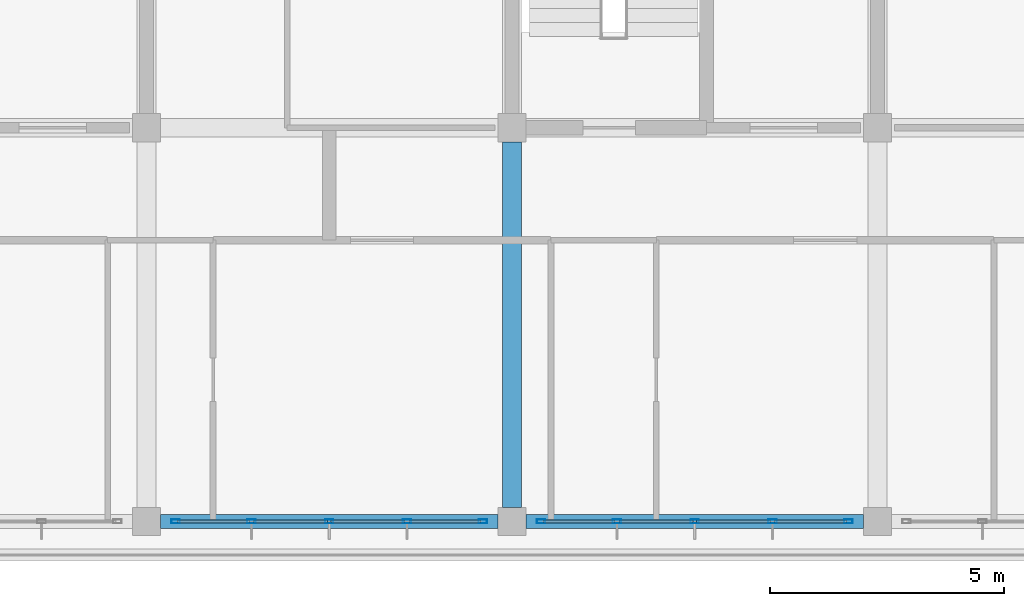
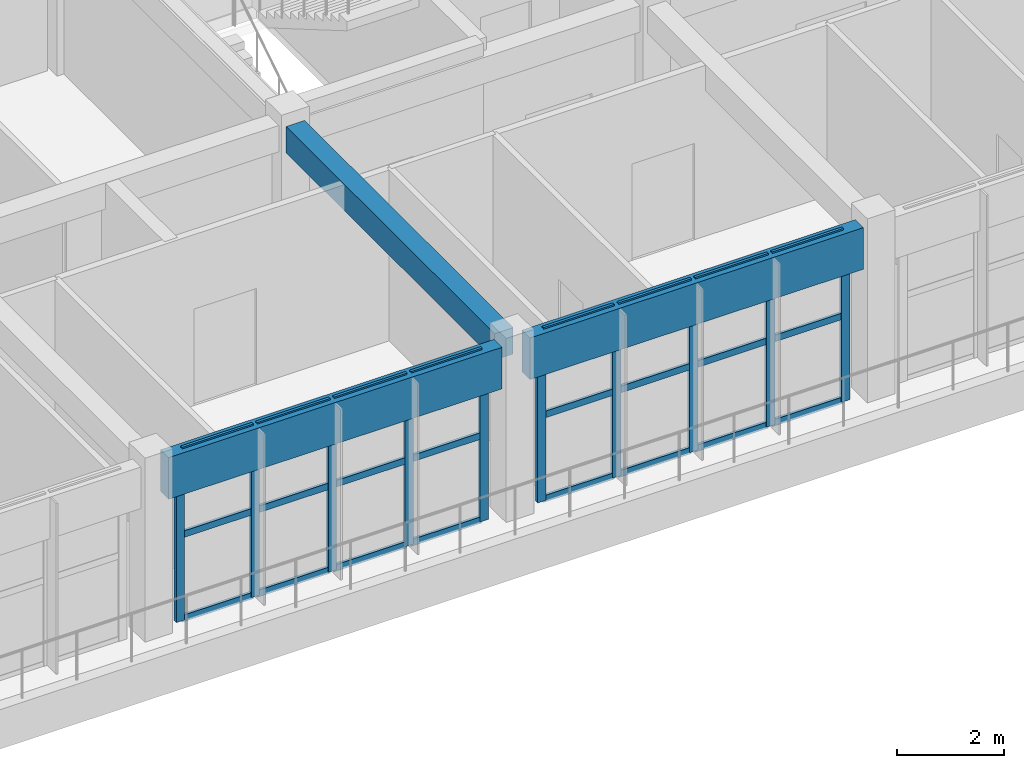
# One storey, part 14 of 50: 34 members, 3 beams, 2 elements without a shape of their own.
"""IFC4 building model written with IfcOpenShell, lengths in metres."""

import ifcopenshell
import ifcopenshell.guid

model = None  # the IFC model being written
_history = None  # IfcOwnerHistory: only IFC2X3 demands one
_inside = {}  # id of a spatial element -> (the spatial element, [elements in it])
_under = {}  # id of a project, library or spatial element -> (it, [spatial elements below it])
_declared = {}  # id of a project -> (the project, [libraries it declares])
_typed = {}  # id of a type object -> (the type object, [elements of that type])
_made_of = {}  # id of a material, layer set ... -> (it, [elements and type objects made of it])


def new_model(schema):
    """Start an empty IFC model of exactly this schema.

    Asked for "IFC4X3", IfcOpenShell would pick the latest addendum, in which some entities
    have other attributes; the version numbers below select the first issue.
    IFC2X3 requires an IfcOwnerHistory on every rooted entity: one is made here for all.
    """
    global model, _history
    if schema == "IFC4X3":
        model = ifcopenshell.file(schema_version=(4, 3, 0, 0))
    else:
        model = ifcopenshell.file(schema=schema)
    _inside.clear()
    _under.clear()
    _declared.clear()
    _typed.clear()
    _made_of.clear()
    _history = None
    if model.schema == "IFC2X3":
        org = make("IfcOrganization", Name="unknown")
        user = make(
            "IfcPersonAndOrganization",
            ThePerson=make("IfcPerson", FamilyName="unknown"),
            TheOrganization=org,
        )
        app = make(
            "IfcApplication",
            ApplicationDeveloper=org,
            Version="unknown",
            ApplicationFullName="unknown",
            ApplicationIdentifier="unknown",
        )
        _history = make(
            "IfcOwnerHistory",
            OwningUser=user,
            OwningApplication=app,
            ChangeAction="ADDED",
            CreationDate=0,
        )
    return model


def make(cls, **values):
    """One entity of the class cls with the attributes given. An attribute that is None is left unset."""
    return model.create_entity(
        cls, **{name: value for name, value in values.items() if value is not None}
    )


def rooted(cls, **values):
    """An entity with a GlobalId (a new one), such as an element, a storey or a relation."""
    return make(cls, GlobalId=ifcopenshell.guid.new(), OwnerHistory=_history, **values)


def si_unit(unit_type, name, prefix=None):
    """IfcSIUnit, for example si_unit("LENGTHUNIT", "METRE", prefix="MILLI")."""
    return make("IfcSIUnit", UnitType=unit_type, Prefix=prefix, Name=name)


def assignment(units):
    """IfcUnitAssignment: the units of a project."""
    return None if units is None else make("IfcUnitAssignment", Units=units)


def point(xyz):
    """IfcCartesianPoint."""
    return None if xyz is None else make("IfcCartesianPoint", Coordinates=xyz)


def direction(xyz):
    """IfcDirection."""
    return None if xyz is None else make("IfcDirection", DirectionRatios=xyz)


def frame(location, z_axis=None, x_axis=None):
    """IfcAxis2Placement3D, a coordinate frame: its origin and axes. An axis left out is left unset."""
    return make(
        "IfcAxis2Placement3D",
        Location=point(location),
        Axis=direction(z_axis),
        RefDirection=direction(x_axis),
    )


def frame_2d(location, x_axis=None):
    """IfcAxis2Placement2D, a coordinate frame in the plane: its origin and x axis."""
    return make(
        "IfcAxis2Placement2D", Location=point(location), RefDirection=direction(x_axis)
    )


def origin():
    """The frame at (0, 0, 0) with its axes left unset."""
    return frame((0.0, 0.0, 0.0))


def origin_2d():
    """The frame at (0, 0) in the plane with its x axis left unset."""
    return frame_2d((0.0, 0.0))


def place(relative_to, where):
    """IfcLocalPlacement: puts the frame where relative to a parent placement (None: the world)."""
    return make(
        "IfcLocalPlacement", PlacementRelTo=relative_to, RelativePlacement=where
    )


def context(
    kind, dimensions, precision=None, world=None, true_north=None, identifier=None
):
    """IfcGeometricRepresentationContext, for example the 3D "Model" context."""
    return make(
        "IfcGeometricRepresentationContext",
        ContextIdentifier=identifier,
        ContextType=kind,
        CoordinateSpaceDimension=dimensions,
        Precision=precision,
        WorldCoordinateSystem=world,
        TrueNorth=true_north,
    )


def subcontext(parent, identifier, kind, view, scale=None):
    """IfcGeometricRepresentationSubContext, for example "Body" below "Model"."""
    return make(
        "IfcGeometricRepresentationSubContext",
        ContextIdentifier=identifier,
        ContextType=kind,
        ParentContext=parent,
        TargetScale=scale,
        TargetView=view,
    )


def project(units=None, contexts=None):
    """IfcProject with its units and contexts."""
    return rooted(
        "IfcProject",
        Name="project",
        RepresentationContexts=contexts,
        UnitsInContext=assignment(units),
    )


def spatial(cls, under=None, at=None, **own):
    """A site, building, storey or space (cls), placed at a placement, below another one or the project."""
    s = rooted(cls, ObjectPlacement=at, **own)
    if under is not None:
        _under.setdefault(under.id(), (under, []))[1].append(s)
    return s


def profile(cls, at=None, kind="AREA", **sizes):
    """A parametric profile (cls). Its sizes go by their IFC names, for example OverallWidth=200.0."""
    return make(cls, ProfileType=kind, Position=at, **sizes)


def rectangle(**sizes):
    """IfcRectangleProfileDef."""
    return profile("IfcRectangleProfileDef", **sizes)


def hollow_rectangle(**sizes):
    """IfcRectangleHollowProfileDef."""
    return profile("IfcRectangleHollowProfileDef", **sizes)


def extrude(swept, where, along, depth):
    """IfcExtrudedAreaSolid: the profile swept, set in the frame where, extruded along a direction by depth."""
    return make(
        "IfcExtrudedAreaSolid",
        SweptArea=swept,
        Position=where,
        ExtrudedDirection=direction(along),
        Depth=depth,
    )


def shape(context_of_items, identifier, shape_type, items):
    """IfcShapeRepresentation: the items that make up one representation, for example the "Body"."""
    return make(
        "IfcShapeRepresentation",
        ContextOfItems=context_of_items,
        RepresentationIdentifier=identifier,
        RepresentationType=shape_type,
        Items=items,
    )


def material(Name=None, Category=None):
    """IfcMaterial."""
    return make("IfcMaterial", Name=Name, Category=Category)


def layer(
    of_material, thickness, ventilated=None, Name=None, Category=None, Priority=None
):
    """IfcMaterialLayer: one layer of a wall or slab, of a material (None: an air gap)."""
    return make(
        "IfcMaterialLayer",
        Material=of_material,
        LayerThickness=thickness,
        IsVentilated=ventilated,
        Name=Name,
        Category=Category,
        Priority=Priority,
    )


def layer_set(layers, Name=None):
    """IfcMaterialLayerSet."""
    return make("IfcMaterialLayerSet", MaterialLayers=layers, LayerSetName=Name)


def material_profile(
    of_material, cross_section, Name=None, Category=None, Priority=None
):
    """IfcMaterialProfile: a cross section and its material."""
    return make(
        "IfcMaterialProfile",
        Name=Name,
        Material=of_material,
        Profile=cross_section,
        Priority=Priority,
        Category=Category,
    )


def profile_set(profiles, Name=None, composite=None):
    """IfcMaterialProfileSet."""
    return make(
        "IfcMaterialProfileSet",
        Name=Name,
        MaterialProfiles=profiles,
        CompositeProfile=composite,
    )


def made_of(thing, what):
    """Note that an element or type object is made of a material, layer set ...; save() writes the relation."""
    if what is not None:
        _made_of.setdefault(what.id(), (what, []))[1].append(thing)
    return thing


def type_object(cls, material=None, **own):
    """A type object (cls), such as IfcWallType, which elements share."""
    return made_of(rooted(cls, **own), material)


def element(
    cls,
    number,
    at=None,
    inside=None,
    cuts=None,
    type_object=None,
    material=None,
    context=None,
    identifier="Body",
    shape_type=None,
    held_by="IfcProductDefinitionShape",
    body=None,
    shapes=None,
    **own,
):
    """One element of the class cls, such as IfcWall. Its Tag is "e" and its number.

    at: its placement. inside: the storey or other place that contains it. cuts: it is an
    opening in that element (IfcRelVoidsElement). A single representation is given by context,
    identifier, shape_type and body (its items); several are given by shapes. held_by: the class
    of the entity that holds the representations. save() writes the other relations.
    """
    e = rooted(cls, Tag="e%d" % number, ObjectPlacement=at, **own)
    if body is not None:
        shapes = [shape(context, identifier, shape_type, body)]
    if shapes is not None:
        e.Representation = make(held_by, Representations=shapes)
    if inside is not None:
        _inside.setdefault(inside.id(), (inside, []))[1].append(e)
    if cuts is not None:
        rooted(
            "IfcRelVoidsElement", RelatingBuildingElement=cuts, RelatedOpeningElement=e
        )
    if type_object is not None:
        _typed.setdefault(type_object.id(), (type_object, []))[1].append(e)
    return made_of(e, material)


def aggregate(whole, parts):
    """IfcRelAggregates: a whole, such as a stair, and the parts it consists of."""
    return rooted("IfcRelAggregates", RelatingObject=whole, RelatedObjects=parts)


def save(model, path):
    """Write the relations noted so far, then the file.

    IfcRelAggregates (storeys below a building ...), IfcRelContainedInSpatialStructure (elements
    in a storey), IfcRelDefinesByType, IfcRelAssociatesMaterial and IfcRelDeclares: one each for
    every whole, place, type object, material and project.
    """
    for whole, parts in _under.values():
        aggregate(whole, parts)
    for where, things in _inside.values():
        rooted(
            "IfcRelContainedInSpatialStructure",
            RelatedElements=things,
            RelatingStructure=where,
        )
    for kind, things in _typed.values():
        rooted("IfcRelDefinesByType", RelatedObjects=things, RelatingType=kind)
    for what, things in _made_of.values():
        rooted("IfcRelAssociatesMaterial", RelatedObjects=things, RelatingMaterial=what)
    for by, libraries in _declared.values():
        rooted("IfcRelDeclares", RelatingContext=by, RelatedDefinitions=libraries)
    model.write(path)


model = new_model("IFC4")

# Units and contexts
model_context = context("Model", 3, precision=1e-05, world=origin(), true_north=direction((0.0, 1.0)))
body_context = subcontext(model_context, "Body", "Model", "MODEL_VIEW")
ifc_project = project(units=[si_unit("LENGTHUNIT", "METRE"), si_unit("AREAUNIT", "SQUARE_METRE"), si_unit("VOLUMEUNIT", "CUBIC_METRE"), si_unit("PLANEANGLEUNIT", "RADIAN"), si_unit("MASSUNIT", "GRAM", prefix="KILO")], contexts=[model_context])

# Site, building, storey
site_placement = place(None, origin())
site = spatial("IfcSite", under=ifc_project, at=site_placement, CompositionType="ELEMENT")
building_placement = place(site_placement, origin())
building = spatial("IfcBuilding", under=site, at=building_placement, Name="Zizhar Promenade General Hospital", CompositionType="ELEMENT")
storey_placement = place(building_placement, frame((0.0, 0.0, 30.60009765625)))
storey = spatial("IfcBuildingStorey", under=building, at=storey_placement, Name="L07", CompositionType="ELEMENT", Elevation=30.60009765625)

# Beams
ifc_material_1 = material(Name="Precast concrete C40/50", Category="concrete")
ifc_material_profile_1 = material_profile(ifc_material_1, rectangle(XDim=0.300048828125, YDim=0.949951171875, at=origin_2d()))
ifc_profile_set_1 = profile_set([ifc_material_profile_1], Name="Precast concrete C40/50")
beam_type_1 = type_object("IfcBeamType", Name="BM-PC-BAND950", PredefinedType="SPANDREL", material=ifc_profile_set_1)
for number, where, z_axis, x_axis, name in (
    (1, (70.5, 0.0, 3.434814453125), (1.0, 0.0, 0.0), (0.0, 1.0, 0.0), "Grid Beam X L07 (9-0)"),
    (2, (78.300048828125, 0.0, 3.434814453125), (1.0, 0.0, 0.0), (0.0, 1.0, 0.0), "Grid Beam X L07 (10-0)"),
):
    element("IfcBeam", number, at=place(storey_placement, frame(where, z_axis=z_axis, x_axis=x_axis)), inside=storey, type_object=beam_type_1, Name=name, PredefinedType="SPANDREL", context=body_context, shape_type="SweptSolid", body=[
        extrude(rectangle(XDim=0.300048828125, YDim=0.949951171875, at=origin_2d()), origin(), (0.0, 0.0, 1.0), 7.199951171875),
    ])
ifc_material_2 = material(Name="Concrete C35/45", Category="concrete")
ifc_material_profile_2 = material_profile(ifc_material_2, rectangle(XDim=0.39990234375, YDim=0.60009765625, at=origin_2d()))
ifc_profile_set_2 = profile_set([ifc_material_profile_2], Name="Concrete C35/45")
beam_type_2 = type_object("IfcBeamType", Name="BM-RC-400x600", PredefinedType="JOIST", material=ifc_profile_set_2)
beam_placement = place(storey_placement, frame((78.0, 0.300048828125, 3.60986328125), z_axis=(0.0, 1.0, 0.0), x_axis=(-1.0, 0.0, 0.0)))
element("IfcBeam", 3, at=beam_placement, inside=storey, type_object=beam_type_2, Name="Grid Beam Y L07 (10-0)", PredefinedType="JOIST", context=body_context, shape_type="SweptSolid", body=[
    extrude(rectangle(XDim=0.39990234375, YDim=0.60009765625, at=origin_2d()), origin(), (0.0, 0.0, 1.0), 7.800048828125),
])

# Curtain wall, members
ifc_material_3 = material(Name="Anodised aluminium 6063-T6 and low-E glass", Category="aluminium")
ifc_layer = layer(ifc_material_3, 0.159912109375)
ifc_layer_set = layer_set([ifc_layer], Name="Anodised aluminium 6063-T6 and low-E glass")
curtain_wall_type = type_object("IfcCurtainWallType", Name="CW-WARD-RIB", PredefinedType="NOTDEFINED", material=ifc_layer_set)
curtain_wall_1_placement = place(storey_placement, origin())
curtain_wall_1 = element("IfcCurtainWall", 4, at=curtain_wall_1_placement, inside=storey, type_object=curtain_wall_type, Name="Ward Ribbon Curtain Wall L07-17-3", PredefinedType="NOTDEFINED")
ifc_material_4 = material(Name="Anodised aluminium 6063-T6", Category="aluminium")
ifc_material_profile_3 = material_profile(ifc_material_4, hollow_rectangle(XDim=0.080078125, YDim=0.179931640625, WallThickness=0.0048828125, at=origin_2d()))
ifc_profile_set_3 = profile_set([ifc_material_profile_3], Name="Anodised aluminium 6063-T6")
member_type_1 = type_object("IfcMemberType", Name="CWM-ALU-180x80", PredefinedType="MULLION", material=ifc_profile_set_3)
member_1_placement = place(storey_placement, frame((85.179931640625, 0.0, 0.0), z_axis=(0.0, 0.0, 1.0), x_axis=(0.0, -1.0, 0.0)))
member_1 = element("IfcMember", 5, at=member_1_placement, type_object=member_type_1, Name="CW-13 mullion 1", PredefinedType="MULLION", context=body_context, shape_type="SweptSolid", body=[
    extrude(hollow_rectangle(XDim=0.080078125, YDim=0.179931640625, WallThickness=0.0048828125, at=origin_2d()), origin(), (0.0, 0.0, 1.0), 3.89990234375),
])
member_2_placement = place(storey_placement, frame((83.56005859375, 0.0, 0.0), z_axis=(0.0, 0.0, 1.0), x_axis=(0.0, -1.0, 0.0)))
member_2 = element("IfcMember", 6, at=member_2_placement, type_object=member_type_1, Name="CW-13 mullion 2", PredefinedType="MULLION", context=body_context, shape_type="SweptSolid", body=[
    extrude(hollow_rectangle(XDim=0.080078125, YDim=0.179931640625, WallThickness=0.0048828125, at=origin_2d()), origin(), (0.0, 0.0, 1.0), 3.89990234375),
])
member_3_placement = place(storey_placement, frame((81.89990234375, 0.0, 0.0), z_axis=(0.0, 0.0, 1.0), x_axis=(0.0, -1.0, 0.0)))
member_3 = element("IfcMember", 7, at=member_3_placement, type_object=member_type_1, Name="CW-13 mullion 3", PredefinedType="MULLION", context=body_context, shape_type="SweptSolid", body=[
    extrude(hollow_rectangle(XDim=0.080078125, YDim=0.179931640625, WallThickness=0.0048828125, at=origin_2d()), origin(), (0.0, 0.0, 1.0), 3.89990234375),
])
member_4_placement = place(storey_placement, frame((80.239990234375, 0.0, 0.0), z_axis=(0.0, 0.0, 1.0), x_axis=(0.0, -1.0, 0.0)))
member_4 = element("IfcMember", 8, at=member_4_placement, type_object=member_type_1, Name="CW-13 mullion 4", PredefinedType="MULLION", context=body_context, shape_type="SweptSolid", body=[
    extrude(hollow_rectangle(XDim=0.080078125, YDim=0.179931640625, WallThickness=0.0048828125, at=origin_2d()), origin(), (0.0, 0.0, 1.0), 3.89990234375),
])
member_5_placement = place(storey_placement, frame((78.6201171875, 0.0, 0.0), z_axis=(0.0, 0.0, 1.0), x_axis=(0.0, -1.0, 0.0)))
member_5 = element("IfcMember", 9, at=member_5_placement, type_object=member_type_1, Name="CW-13 mullion 5", PredefinedType="MULLION", context=body_context, shape_type="SweptSolid", body=[
    extrude(hollow_rectangle(XDim=0.080078125, YDim=0.179931640625, WallThickness=0.0048828125, at=origin_2d()), origin(), (0.0, 0.0, 1.0), 3.89990234375),
])

curtain_wall_2_placement = place(storey_placement, origin())
curtain_wall_2 = element("IfcCurtainWall", 10, at=curtain_wall_2_placement, inside=storey, type_object=curtain_wall_type, Name="Ward Ribbon Curtain Wall L07-17-4", PredefinedType="NOTDEFINED")
member_6_placement = place(storey_placement, frame((77.3798828125, 0.0, 0.0), z_axis=(0.0, 0.0, 1.0), x_axis=(0.0, -1.0, 0.0)))
member_6 = element("IfcMember", 11, at=member_6_placement, type_object=member_type_1, Name="CW-13 mullion 1", PredefinedType="MULLION", context=body_context, shape_type="SweptSolid", body=[
    extrude(hollow_rectangle(XDim=0.080078125, YDim=0.179931640625, WallThickness=0.0048828125, at=origin_2d()), origin(), (0.0, 0.0, 1.0), 3.89990234375),
])
member_7_placement = place(storey_placement, frame((75.760009765625, 0.0, 0.0), z_axis=(0.0, 0.0, 1.0), x_axis=(0.0, -1.0, 0.0)))
member_7 = element("IfcMember", 12, at=member_7_placement, type_object=member_type_1, Name="CW-13 mullion 2", PredefinedType="MULLION", context=body_context, shape_type="SweptSolid", body=[
    extrude(hollow_rectangle(XDim=0.080078125, YDim=0.179931640625, WallThickness=0.0048828125, at=origin_2d()), origin(), (0.0, 0.0, 1.0), 3.89990234375),
])
member_8_placement = place(storey_placement, frame((74.10009765625, 0.0, 0.0), z_axis=(0.0, 0.0, 1.0), x_axis=(0.0, -1.0, 0.0)))
member_8 = element("IfcMember", 13, at=member_8_placement, type_object=member_type_1, Name="CW-13 mullion 3", PredefinedType="MULLION", context=body_context, shape_type="SweptSolid", body=[
    extrude(hollow_rectangle(XDim=0.080078125, YDim=0.179931640625, WallThickness=0.0048828125, at=origin_2d()), origin(), (0.0, 0.0, 1.0), 3.89990234375),
])
member_9_placement = place(storey_placement, frame((72.43994140625, 0.0, 0.0), z_axis=(0.0, 0.0, 1.0), x_axis=(0.0, -1.0, 0.0)))
member_9 = element("IfcMember", 14, at=member_9_placement, type_object=member_type_1, Name="CW-13 mullion 4", PredefinedType="MULLION", context=body_context, shape_type="SweptSolid", body=[
    extrude(hollow_rectangle(XDim=0.080078125, YDim=0.179931640625, WallThickness=0.0048828125, at=origin_2d()), origin(), (0.0, 0.0, 1.0), 3.89990234375),
])
member_10_placement = place(storey_placement, frame((70.820068359375, 0.0, 0.0), z_axis=(0.0, 0.0, 1.0), x_axis=(0.0, -1.0, 0.0)))
member_10 = element("IfcMember", 15, at=member_10_placement, type_object=member_type_1, Name="CW-13 mullion 5", PredefinedType="MULLION", context=body_context, shape_type="SweptSolid", body=[
    extrude(hollow_rectangle(XDim=0.080078125, YDim=0.179931640625, WallThickness=0.0048828125, at=origin_2d()), origin(), (0.0, 0.0, 1.0), 3.89990234375),
])

# Member
ifc_material_5 = material(Name="Anodised aluminium 6063-T6", Category="aluminium")
ifc_material_profile_4 = material_profile(ifc_material_5, hollow_rectangle(XDim=0.06005859375, YDim=0.14990234375, WallThickness=0.00390625, at=origin_2d()))
ifc_profile_set_4 = profile_set([ifc_material_profile_4], Name="Anodised aluminium 6063-T6")
member_type_2 = type_object("IfcMemberType", Name="CWT-ALU-150x60", PredefinedType="USERDEFINED", material=ifc_profile_set_4)
member_11_placement = place(storey_placement, frame((85.139892578125, 0.0, 0.02978515625), z_axis=(-1.0, 0.0, 0.0), x_axis=(0.0, -1.0, 0.0)))
member_11 = element("IfcMember", 16, at=member_11_placement, type_object=member_type_2, Name="CW-13 transom 1.1", ObjectType="TRANSOM", PredefinedType="USERDEFINED", context=body_context, shape_type="SweptSolid", body=[
    extrude(hollow_rectangle(XDim=0.06005859375, YDim=0.14990234375, WallThickness=0.00390625, at=origin_2d()), origin(), (0.0, 0.0, 1.0), 1.539794921875),
])

member_12_placement = place(storey_placement, frame((85.139892578125, 0.0, 1.949951171875), z_axis=(-1.0, 0.0, 0.0), x_axis=(0.0, -1.0, 0.0)))
member_12 = element("IfcMember", 17, at=member_12_placement, type_object=member_type_2, Name="CW-13 transom 1.2", ObjectType="TRANSOM", PredefinedType="USERDEFINED", context=body_context, shape_type="SweptSolid", body=[
    extrude(hollow_rectangle(XDim=0.06005859375, YDim=0.14990234375, WallThickness=0.00390625, at=origin_2d()), origin(), (0.0, 0.0, 1.0), 1.539794921875),
])

member_13_placement = place(storey_placement, frame((85.139892578125, 0.0, 3.869873046875), z_axis=(-1.0, 0.0, 0.0), x_axis=(0.0, -1.0, 0.0)))
member_13 = element("IfcMember", 18, at=member_13_placement, type_object=member_type_2, Name="CW-13 transom 1.3", ObjectType="TRANSOM", PredefinedType="USERDEFINED", context=body_context, shape_type="SweptSolid", body=[
    extrude(hollow_rectangle(XDim=0.06005859375, YDim=0.14990234375, WallThickness=0.00390625, at=origin_2d()), origin(), (0.0, 0.0, 1.0), 1.539794921875),
])

member_14_placement = place(storey_placement, frame((83.52001953125, 0.0, 0.02978515625), z_axis=(-1.0, 0.0, 0.0), x_axis=(0.0, -1.0, 0.0)))
member_14 = element("IfcMember", 19, at=member_14_placement, type_object=member_type_2, Name="CW-13 transom 2.1", ObjectType="TRANSOM", PredefinedType="USERDEFINED", context=body_context, shape_type="SweptSolid", body=[
    extrude(hollow_rectangle(XDim=0.06005859375, YDim=0.14990234375, WallThickness=0.00390625, at=origin_2d()), origin(), (0.0, 0.0, 1.0), 1.580078125),
])

member_15_placement = place(storey_placement, frame((83.52001953125, 0.0, 1.949951171875), z_axis=(-1.0, 0.0, 0.0), x_axis=(0.0, -1.0, 0.0)))
member_15 = element("IfcMember", 20, at=member_15_placement, type_object=member_type_2, Name="CW-13 transom 2.2", ObjectType="TRANSOM", PredefinedType="USERDEFINED", context=body_context, shape_type="SweptSolid", body=[
    extrude(hollow_rectangle(XDim=0.06005859375, YDim=0.14990234375, WallThickness=0.00390625, at=origin_2d()), origin(), (0.0, 0.0, 1.0), 1.580078125),
])

member_16_placement = place(storey_placement, frame((83.52001953125, 0.0, 3.869873046875), z_axis=(-1.0, 0.0, 0.0), x_axis=(0.0, -1.0, 0.0)))
member_16 = element("IfcMember", 21, at=member_16_placement, type_object=member_type_2, Name="CW-13 transom 2.3", ObjectType="TRANSOM", PredefinedType="USERDEFINED", context=body_context, shape_type="SweptSolid", body=[
    extrude(hollow_rectangle(XDim=0.06005859375, YDim=0.14990234375, WallThickness=0.00390625, at=origin_2d()), origin(), (0.0, 0.0, 1.0), 1.580078125),
])

member_17_placement = place(storey_placement, frame((81.860107421875, 0.0, 0.02978515625), z_axis=(-1.0, 0.0, 0.0), x_axis=(0.0, -1.0, 0.0)))
member_17 = element("IfcMember", 22, at=member_17_placement, type_object=member_type_2, Name="CW-13 transom 3.1", ObjectType="TRANSOM", PredefinedType="USERDEFINED", context=body_context, shape_type="SweptSolid", body=[
    extrude(hollow_rectangle(XDim=0.06005859375, YDim=0.14990234375, WallThickness=0.00390625, at=origin_2d()), origin(), (0.0, 0.0, 1.0), 1.580078125),
])

member_18_placement = place(storey_placement, frame((81.860107421875, 0.0, 1.949951171875), z_axis=(-1.0, 0.0, 0.0), x_axis=(0.0, -1.0, 0.0)))
member_18 = element("IfcMember", 23, at=member_18_placement, type_object=member_type_2, Name="CW-13 transom 3.2", ObjectType="TRANSOM", PredefinedType="USERDEFINED", context=body_context, shape_type="SweptSolid", body=[
    extrude(hollow_rectangle(XDim=0.06005859375, YDim=0.14990234375, WallThickness=0.00390625, at=origin_2d()), origin(), (0.0, 0.0, 1.0), 1.580078125),
])

member_19_placement = place(storey_placement, frame((81.860107421875, 0.0, 3.869873046875), z_axis=(-1.0, 0.0, 0.0), x_axis=(0.0, -1.0, 0.0)))
member_19 = element("IfcMember", 24, at=member_19_placement, type_object=member_type_2, Name="CW-13 transom 3.3", ObjectType="TRANSOM", PredefinedType="USERDEFINED", context=body_context, shape_type="SweptSolid", body=[
    extrude(hollow_rectangle(XDim=0.06005859375, YDim=0.14990234375, WallThickness=0.00390625, at=origin_2d()), origin(), (0.0, 0.0, 1.0), 1.580078125),
])

member_20_placement = place(storey_placement, frame((80.199951171875, 0.0, 0.02978515625), z_axis=(-1.0, 0.0, 0.0), x_axis=(0.0, -1.0, 0.0)))
member_20 = element("IfcMember", 25, at=member_20_placement, type_object=member_type_2, Name="CW-13 transom 4.1", ObjectType="TRANSOM", PredefinedType="USERDEFINED", context=body_context, shape_type="SweptSolid", body=[
    extrude(hollow_rectangle(XDim=0.06005859375, YDim=0.14990234375, WallThickness=0.00390625, at=origin_2d()), origin(), (0.0, 0.0, 1.0), 1.5400390625),
])

member_21_placement = place(storey_placement, frame((80.199951171875, 0.0, 1.949951171875), z_axis=(-1.0, 0.0, 0.0), x_axis=(0.0, -1.0, 0.0)))
member_21 = element("IfcMember", 26, at=member_21_placement, type_object=member_type_2, Name="CW-13 transom 4.2", ObjectType="TRANSOM", PredefinedType="USERDEFINED", context=body_context, shape_type="SweptSolid", body=[
    extrude(hollow_rectangle(XDim=0.06005859375, YDim=0.14990234375, WallThickness=0.00390625, at=origin_2d()), origin(), (0.0, 0.0, 1.0), 1.5400390625),
])

member_22_placement = place(storey_placement, frame((80.199951171875, 0.0, 3.869873046875), z_axis=(-1.0, 0.0, 0.0), x_axis=(0.0, -1.0, 0.0)))
member_22 = element("IfcMember", 27, at=member_22_placement, type_object=member_type_2, Name="CW-13 transom 4.3", ObjectType="TRANSOM", PredefinedType="USERDEFINED", context=body_context, shape_type="SweptSolid", body=[
    extrude(hollow_rectangle(XDim=0.06005859375, YDim=0.14990234375, WallThickness=0.00390625, at=origin_2d()), origin(), (0.0, 0.0, 1.0), 1.5400390625),
])

aggregate(curtain_wall_1, [member_1, member_2, member_3, member_4, member_5, member_11, member_12, member_13, member_14, member_15, member_16, member_17, member_18, member_19, member_20, member_21, member_22])

member_23_placement = place(storey_placement, frame((77.340087890625, 0.0, 0.02978515625), z_axis=(-1.0, 0.0, 0.0), x_axis=(0.0, -1.0, 0.0)))
member_23 = element("IfcMember", 28, at=member_23_placement, type_object=member_type_2, Name="CW-13 transom 1.1", ObjectType="TRANSOM", PredefinedType="USERDEFINED", context=body_context, shape_type="SweptSolid", body=[
    extrude(hollow_rectangle(XDim=0.06005859375, YDim=0.14990234375, WallThickness=0.00390625, at=origin_2d()), origin(), (0.0, 0.0, 1.0), 1.5400390625),
])

member_24_placement = place(storey_placement, frame((77.340087890625, 0.0, 1.949951171875), z_axis=(-1.0, 0.0, 0.0), x_axis=(0.0, -1.0, 0.0)))
member_24 = element("IfcMember", 29, at=member_24_placement, type_object=member_type_2, Name="CW-13 transom 1.2", ObjectType="TRANSOM", PredefinedType="USERDEFINED", context=body_context, shape_type="SweptSolid", body=[
    extrude(hollow_rectangle(XDim=0.06005859375, YDim=0.14990234375, WallThickness=0.00390625, at=origin_2d()), origin(), (0.0, 0.0, 1.0), 1.5400390625),
])

member_25_placement = place(storey_placement, frame((77.340087890625, 0.0, 3.869873046875), z_axis=(-1.0, 0.0, 0.0), x_axis=(0.0, -1.0, 0.0)))
member_25 = element("IfcMember", 30, at=member_25_placement, type_object=member_type_2, Name="CW-13 transom 1.3", ObjectType="TRANSOM", PredefinedType="USERDEFINED", context=body_context, shape_type="SweptSolid", body=[
    extrude(hollow_rectangle(XDim=0.06005859375, YDim=0.14990234375, WallThickness=0.00390625, at=origin_2d()), origin(), (0.0, 0.0, 1.0), 1.5400390625),
])

member_26_placement = place(storey_placement, frame((75.719970703125, 0.0, 0.02978515625), z_axis=(-1.0, 0.0, 0.0), x_axis=(0.0, -1.0, 0.0)))
member_26 = element("IfcMember", 31, at=member_26_placement, type_object=member_type_2, Name="CW-13 transom 2.1", ObjectType="TRANSOM", PredefinedType="USERDEFINED", context=body_context, shape_type="SweptSolid", body=[
    extrude(hollow_rectangle(XDim=0.06005859375, YDim=0.14990234375, WallThickness=0.00390625, at=origin_2d()), origin(), (0.0, 0.0, 1.0), 1.580078125),
])

member_27_placement = place(storey_placement, frame((75.719970703125, 0.0, 1.949951171875), z_axis=(-1.0, 0.0, 0.0), x_axis=(0.0, -1.0, 0.0)))
member_27 = element("IfcMember", 32, at=member_27_placement, type_object=member_type_2, Name="CW-13 transom 2.2", ObjectType="TRANSOM", PredefinedType="USERDEFINED", context=body_context, shape_type="SweptSolid", body=[
    extrude(hollow_rectangle(XDim=0.06005859375, YDim=0.14990234375, WallThickness=0.00390625, at=origin_2d()), origin(), (0.0, 0.0, 1.0), 1.580078125),
])

member_28_placement = place(storey_placement, frame((75.719970703125, 0.0, 3.869873046875), z_axis=(-1.0, 0.0, 0.0), x_axis=(0.0, -1.0, 0.0)))
member_28 = element("IfcMember", 33, at=member_28_placement, type_object=member_type_2, Name="CW-13 transom 2.3", ObjectType="TRANSOM", PredefinedType="USERDEFINED", context=body_context, shape_type="SweptSolid", body=[
    extrude(hollow_rectangle(XDim=0.06005859375, YDim=0.14990234375, WallThickness=0.00390625, at=origin_2d()), origin(), (0.0, 0.0, 1.0), 1.580078125),
])

member_29_placement = place(storey_placement, frame((74.06005859375, 0.0, 0.02978515625), z_axis=(-1.0, 0.0, 0.0), x_axis=(0.0, -1.0, 0.0)))
member_29 = element("IfcMember", 34, at=member_29_placement, type_object=member_type_2, Name="CW-13 transom 3.1", ObjectType="TRANSOM", PredefinedType="USERDEFINED", context=body_context, shape_type="SweptSolid", body=[
    extrude(hollow_rectangle(XDim=0.06005859375, YDim=0.14990234375, WallThickness=0.00390625, at=origin_2d()), origin(), (0.0, 0.0, 1.0), 1.580078125),
])

member_30_placement = place(storey_placement, frame((74.06005859375, 0.0, 1.949951171875), z_axis=(-1.0, 0.0, 0.0), x_axis=(0.0, -1.0, 0.0)))
member_30 = element("IfcMember", 35, at=member_30_placement, type_object=member_type_2, Name="CW-13 transom 3.2", ObjectType="TRANSOM", PredefinedType="USERDEFINED", context=body_context, shape_type="SweptSolid", body=[
    extrude(hollow_rectangle(XDim=0.06005859375, YDim=0.14990234375, WallThickness=0.00390625, at=origin_2d()), origin(), (0.0, 0.0, 1.0), 1.580078125),
])

member_31_placement = place(storey_placement, frame((74.06005859375, 0.0, 3.869873046875), z_axis=(-1.0, 0.0, 0.0), x_axis=(0.0, -1.0, 0.0)))
member_31 = element("IfcMember", 36, at=member_31_placement, type_object=member_type_2, Name="CW-13 transom 3.3", ObjectType="TRANSOM", PredefinedType="USERDEFINED", context=body_context, shape_type="SweptSolid", body=[
    extrude(hollow_rectangle(XDim=0.06005859375, YDim=0.14990234375, WallThickness=0.00390625, at=origin_2d()), origin(), (0.0, 0.0, 1.0), 1.580078125),
])

member_32_placement = place(storey_placement, frame((72.39990234375, 0.0, 0.02978515625), z_axis=(-1.0, 0.0, 0.0), x_axis=(0.0, -1.0, 0.0)))
member_32 = element("IfcMember", 37, at=member_32_placement, type_object=member_type_2, Name="CW-13 transom 4.1", ObjectType="TRANSOM", PredefinedType="USERDEFINED", context=body_context, shape_type="SweptSolid", body=[
    extrude(hollow_rectangle(XDim=0.06005859375, YDim=0.14990234375, WallThickness=0.00390625, at=origin_2d()), origin(), (0.0, 0.0, 1.0), 1.539794921875),
])

member_33_placement = place(storey_placement, frame((72.39990234375, 0.0, 1.949951171875), z_axis=(-1.0, 0.0, 0.0), x_axis=(0.0, -1.0, 0.0)))
member_33 = element("IfcMember", 38, at=member_33_placement, type_object=member_type_2, Name="CW-13 transom 4.2", ObjectType="TRANSOM", PredefinedType="USERDEFINED", context=body_context, shape_type="SweptSolid", body=[
    extrude(hollow_rectangle(XDim=0.06005859375, YDim=0.14990234375, WallThickness=0.00390625, at=origin_2d()), origin(), (0.0, 0.0, 1.0), 1.539794921875),
])

member_34_placement = place(storey_placement, frame((72.39990234375, 0.0, 3.869873046875), z_axis=(-1.0, 0.0, 0.0), x_axis=(0.0, -1.0, 0.0)))
member_34 = element("IfcMember", 39, at=member_34_placement, type_object=member_type_2, Name="CW-13 transom 4.3", ObjectType="TRANSOM", PredefinedType="USERDEFINED", context=body_context, shape_type="SweptSolid", body=[
    extrude(hollow_rectangle(XDim=0.06005859375, YDim=0.14990234375, WallThickness=0.00390625, at=origin_2d()), origin(), (0.0, 0.0, 1.0), 1.539794921875),
])

aggregate(curtain_wall_2, [member_6, member_7, member_8, member_9, member_10, member_23, member_24, member_25, member_26, member_27, member_28, member_29, member_30, member_31, member_32, member_33, member_34])

save(model, "model.ifc")
